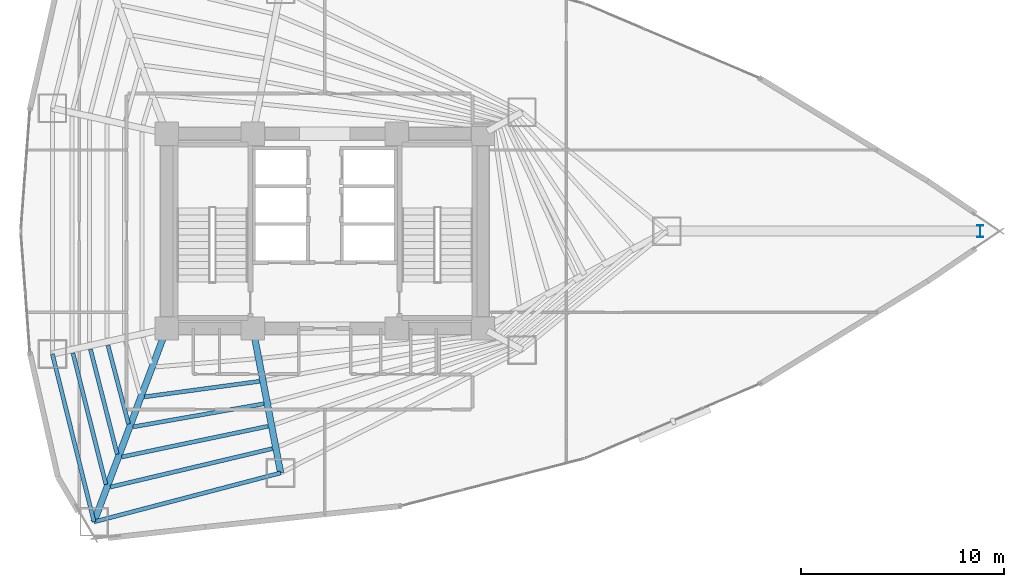
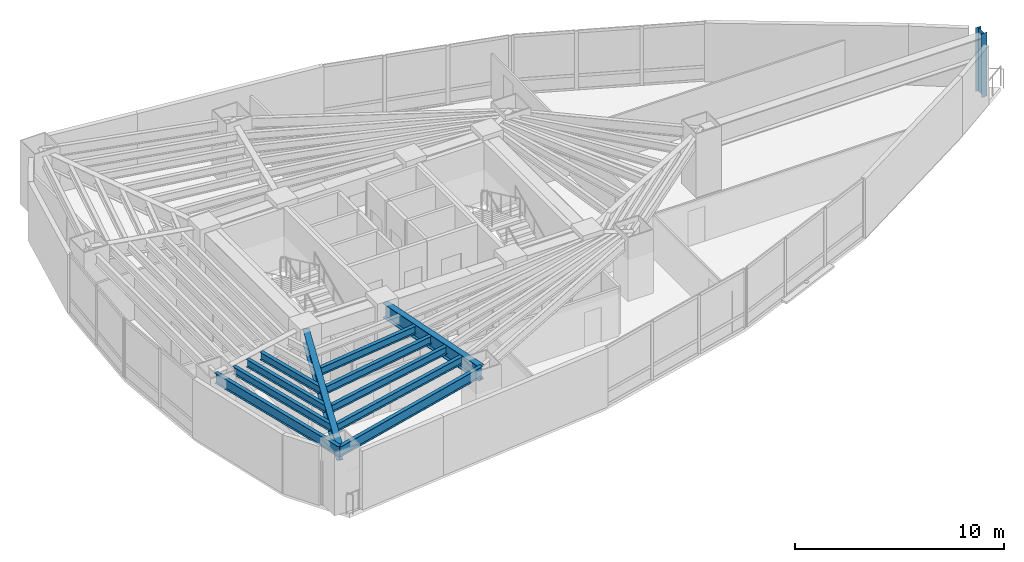
# One storey, part 2 of 20: 11 beams, 1 column.
"""IFC4 building model written with IfcOpenShell, lengths in metres."""

from ifc_helpers import new_model, si_unit, direction, frame, origin, origin_2d, place, context, subcontext, project, spatial, i_section, extrude, material, material_profile, profile_set, type_object, element, save


model = new_model("IFC4")

# Units and contexts
model_context = context("Model", 3, precision=1e-05, world=origin(), true_north=direction((0.0, 1.0)))
body_context = subcontext(model_context, "Body", "Model", "MODEL_VIEW")
ifc_project = project(units=[si_unit("LENGTHUNIT", "METRE"), si_unit("AREAUNIT", "SQUARE_METRE"), si_unit("VOLUMEUNIT", "CUBIC_METRE"), si_unit("PLANEANGLEUNIT", "RADIAN"), si_unit("MASSUNIT", "GRAM", prefix="KILO")], contexts=[model_context])

# Site, building, storey
site_placement = place(None, origin())
site = spatial("IfcSite", under=ifc_project, at=site_placement, CompositionType="ELEMENT")
building_placement = place(site_placement, origin())
building = spatial("IfcBuilding", under=site, at=building_placement, Name="Menara Vayukalpa", CompositionType="ELEMENT")
storey_placement = place(building_placement, frame((0.0, 0.0, 64.800048828125)))
storey = spatial("IfcBuildingStorey", under=building, at=storey_placement, Name="L15", CompositionType="ELEMENT", Elevation=64.800048828125)

# Column
ifc_material_1 = material(Name="Steel S460", Category="steel")
ifc_material_profile_1 = material_profile(ifc_material_1, i_section(OverallWidth=0.300048828125, OverallDepth=0.587890625, WebThickness=0.011962890625, FlangeThickness=0.02001953125, at=origin_2d()), Name="H 588x300x12x20")
ifc_profile_set_1 = profile_set([ifc_material_profile_1], Name="Steel S460")
column_type = type_object("IfcColumnType", Name="COL-SC1", PredefinedType="COLUMN", material=ifc_profile_set_1)
column_placement = place(storey_placement, frame((57.90771484375, 22.0, 0.0), z_axis=(0.0, 0.0, 1.0), x_axis=(1.0, 0.0, 0.0)))
element("IfcColumn", 1, at=column_placement, inside=storey, type_object=column_type, Name="L15 SB1 Sky Bar Vierendeel Column SB01", PredefinedType="COLUMN", context=body_context, shape_type="SweptSolid", body=[
    extrude(i_section(OverallWidth=0.300048828125, OverallDepth=0.587890625, WebThickness=0.011962890625, FlangeThickness=0.02001953125, at=origin_2d()), origin(), (0.0, 0.0, 1.0), 3.719970703125),
])

# Beams
ifc_material_2 = material(Name="Steel S355", Category="steel")
ifc_material_profile_2 = material_profile(ifc_material_2, i_section(OverallWidth=0.320068359375, OverallDepth=0.85009765625, WebThickness=0.01611328125, FlangeThickness=0.030029296875, at=origin_2d()), Name="WF 850x320x16x30")
ifc_profile_set_2 = profile_set([ifc_material_profile_2], Name="Steel S355")
beam_type_1 = type_object("IfcBeamType", Name="BM-PG2", PredefinedType="BEAM", material=ifc_profile_set_2)
beam_1_placement = place(storey_placement, frame((17.712158203125, 16.966064453125, 3.014892578125), z_axis=(-0.351734656537, -0.93609974436, 0.0), x_axis=(0.93609974436, -0.351734656537, 0.0)))
element("IfcBeam", 2, at=beam_1_placement, inside=storey, type_object=beam_type_1, Name="L15 Primary Radial Girder RG07", PredefinedType="BEAM", context=body_context, shape_type="SweptSolid", body=[
    extrude(i_section(OverallWidth=0.320068359375, OverallDepth=0.85009765625, WebThickness=0.01611328125, FlangeThickness=0.030029296875, at=origin_2d()), origin(), (0.0, 0.0, 1.0), 9.935302734375),
])
beam_2_placement = place(storey_placement, frame((22.09716796875, 16.95458984375, 3.014892578125), z_axis=(0.188803432672, -0.982014899995, 0.0), x_axis=(0.982014899995, 0.188803432672, 0.0)))
element("IfcBeam", 3, at=beam_2_placement, inside=storey, type_object=beam_type_1, Name="L15 Primary Radial Girder RG08", PredefinedType="BEAM", context=body_context, shape_type="SweptSolid", body=[
    extrude(i_section(OverallWidth=0.320068359375, OverallDepth=0.85009765625, WebThickness=0.01611328125, FlangeThickness=0.030029296875, at=origin_2d()), origin(), (0.0, 0.0, 1.0), 7.00341796875),
])
ifc_material_3 = material(Name="Steel S355", Category="steel")
ifc_material_profile_3 = material_profile(ifc_material_3, i_section(OverallWidth=0.199951171875, OverallDepth=0.449951171875, WebThickness=0.009033203125, FlangeThickness=0.013916015625, at=origin_2d()), Name="WF 450x200x9x14")
ifc_profile_set_3 = profile_set([ifc_material_profile_3], Name="Steel S355")
beam_type_2 = type_object("IfcBeamType", Name="BM-SJ1", PredefinedType="JOIST", material=ifc_profile_set_3)
beam_3_placement = place(storey_placement, frame((14.905517578125, 16.368896484375, 3.21484375), z_axis=(0.25283833468, -0.967508540798, 0.0), x_axis=(0.967508540798, 0.25283833468, 0.0)))
element("IfcBeam", 4, at=beam_3_placement, inside=storey, type_object=beam_type_2, Name="L15 Secondary Floor Joist SJ06-3", PredefinedType="JOIST", context=body_context, shape_type="SweptSolid", body=[
    extrude(i_section(OverallWidth=0.199951171875, OverallDepth=0.449951171875, WebThickness=0.009033203125, FlangeThickness=0.013916015625, at=origin_2d()), origin(), (0.0, 0.0, 1.0), 4.00927734375),
])
beam_4_placement = place(storey_placement, frame((14.0419921875, 16.17578125, 3.21484375), z_axis=(0.247105572938, -0.968988563309, 0.0), x_axis=(0.968988563309, 0.247105572938, 0.0)))
element("IfcBeam", 5, at=beam_4_placement, inside=storey, type_object=beam_type_2, Name="L15 Secondary Floor Joist SJ06-4", PredefinedType="JOIST", context=body_context, shape_type="SweptSolid", body=[
    extrude(i_section(OverallWidth=0.199951171875, OverallDepth=0.449951171875, WebThickness=0.009033203125, FlangeThickness=0.013916015625, at=origin_2d()), origin(), (0.0, 0.0, 1.0), 5.339111328125),
])
beam_5_placement = place(storey_placement, frame((13.1787109375, 15.982666015625, 3.21484375), z_axis=(0.243517460774, -0.96989651319, 0.0), x_axis=(0.96989651319, 0.243517460774, 0.0)))
element("IfcBeam", 6, at=beam_5_placement, inside=storey, type_object=beam_type_2, Name="L15 Secondary Floor Joist SJ06-5", PredefinedType="JOIST", context=body_context, shape_type="SweptSolid", body=[
    extrude(i_section(OverallWidth=0.199951171875, OverallDepth=0.449951171875, WebThickness=0.009033203125, FlangeThickness=0.013916015625, at=origin_2d()), origin(), (0.0, 0.0, 1.0), 6.6689453125),
])
beam_6_placement = place(storey_placement, frame((16.702392578125, 13.827880859375, 3.21484375), z_axis=(0.991021966654, 0.13369914588, 0.0), x_axis=(-0.13369914588, 0.991021966654, 0.0)))
element("IfcBeam", 7, at=beam_6_placement, inside=storey, type_object=beam_type_2, Name="L15 Secondary Floor Joist SJ07-2", PredefinedType="JOIST", context=body_context, shape_type="SweptSolid", body=[
    extrude(i_section(OverallWidth=0.199951171875, OverallDepth=0.449951171875, WebThickness=0.009033203125, FlangeThickness=0.013916015625, at=origin_2d()), origin(), (0.0, 0.0, 1.0), 5.71728515625),
])
beam_7_placement = place(storey_placement, frame((16.14208984375, 12.34716796875, 3.21484375), z_axis=(0.984753096925, 0.173957862993, 0.0), x_axis=(-0.173957862993, 0.984753096925, 0.0)))
element("IfcBeam", 8, at=beam_7_placement, inside=storey, type_object=beam_type_2, Name="L15 Secondary Floor Joist SJ07-3", PredefinedType="JOIST", context=body_context, shape_type="SweptSolid", body=[
    extrude(i_section(OverallWidth=0.199951171875, OverallDepth=0.449951171875, WebThickness=0.009033203125, FlangeThickness=0.013916015625, at=origin_2d()), origin(), (0.0, 0.0, 1.0), 6.53857421875),
])
beam_8_placement = place(storey_placement, frame((15.581787109375, 10.86474609375, 3.21484375), z_axis=(0.978676146728, 0.205409346977, 0.0), x_axis=(-0.205409346977, 0.978676146728, 0.0)))
element("IfcBeam", 9, at=beam_8_placement, inside=storey, type_object=beam_type_2, Name="L15 Secondary Floor Joist SJ07-4", PredefinedType="JOIST", context=body_context, shape_type="SweptSolid", body=[
    extrude(i_section(OverallWidth=0.199951171875, OverallDepth=0.449951171875, WebThickness=0.009033203125, FlangeThickness=0.013916015625, at=origin_2d()), origin(), (0.0, 0.0, 1.0), 7.369140625),
])
beam_9_placement = place(storey_placement, frame((15.021728515625, 9.381103515625, 3.21484375), z_axis=(0.97303971213, 0.23063763487, 0.0), x_axis=(-0.23063763487, 0.97303971213, 0.0)))
element("IfcBeam", 10, at=beam_9_placement, inside=storey, type_object=beam_type_2, Name="L15 Secondary Floor Joist SJ07-5", PredefinedType="JOIST", context=body_context, shape_type="SweptSolid", body=[
    extrude(i_section(OverallWidth=0.199951171875, OverallDepth=0.449951171875, WebThickness=0.009033203125, FlangeThickness=0.013916015625, at=origin_2d()), origin(), (0.0, 0.0, 1.0), 8.205810546875),
])
ifc_material_4 = material(Name="Steel S355", Category="steel")
ifc_material_profile_4 = material_profile(ifc_material_4, i_section(OverallWidth=0.199951171875, OverallDepth=0.60009765625, WebThickness=0.010986328125, FlangeThickness=0.01708984375, at=origin_2d()), Name="WF 600x200x11x17")
ifc_profile_set_4 = profile_set([ifc_material_profile_4], Name="Steel S355")
beam_type_3 = type_object("IfcBeamType", Name="BM-SP1", PredefinedType="SPANDREL", material=ifc_profile_set_4)
beam_10_placement = place(storey_placement, frame((12.164306640625, 15.9404296875, 3.139892578125), z_axis=(0.240823860364, -0.970568837476, 0.0), x_axis=(0.970568837476, 0.240823860364, 0.0)))
element("IfcBeam", 11, at=beam_10_placement, inside=storey, type_object=beam_type_3, Name="L15 Perimeter Spandrel Beam SP06", PredefinedType="SPANDREL", context=body_context, shape_type="SweptSolid", body=[
    extrude(i_section(OverallWidth=0.199951171875, OverallDepth=0.60009765625, WebThickness=0.010986328125, FlangeThickness=0.01708984375, at=origin_2d()), origin(), (0.0, 0.0, 1.0), 8.52587890625),
])
beam_11_placement = place(storey_placement, frame((14.217529296875, 7.66552734375, 3.139892578125), z_axis=(0.967331024421, 0.253516644802, 0.0), x_axis=(-0.253516644802, 0.967331024421, 0.0)))
element("IfcBeam", 12, at=beam_11_placement, inside=storey, type_object=beam_type_3, Name="L15 Perimeter Spandrel Beam SP07", PredefinedType="SPANDREL", context=body_context, shape_type="SweptSolid", body=[
    extrude(i_section(OverallWidth=0.199951171875, OverallDepth=0.60009765625, WebThickness=0.010986328125, FlangeThickness=0.01708984375, at=origin_2d()), origin(), (0.0, 0.0, 1.0), 9.5126953125),
])

save(model, "model.ifc")
